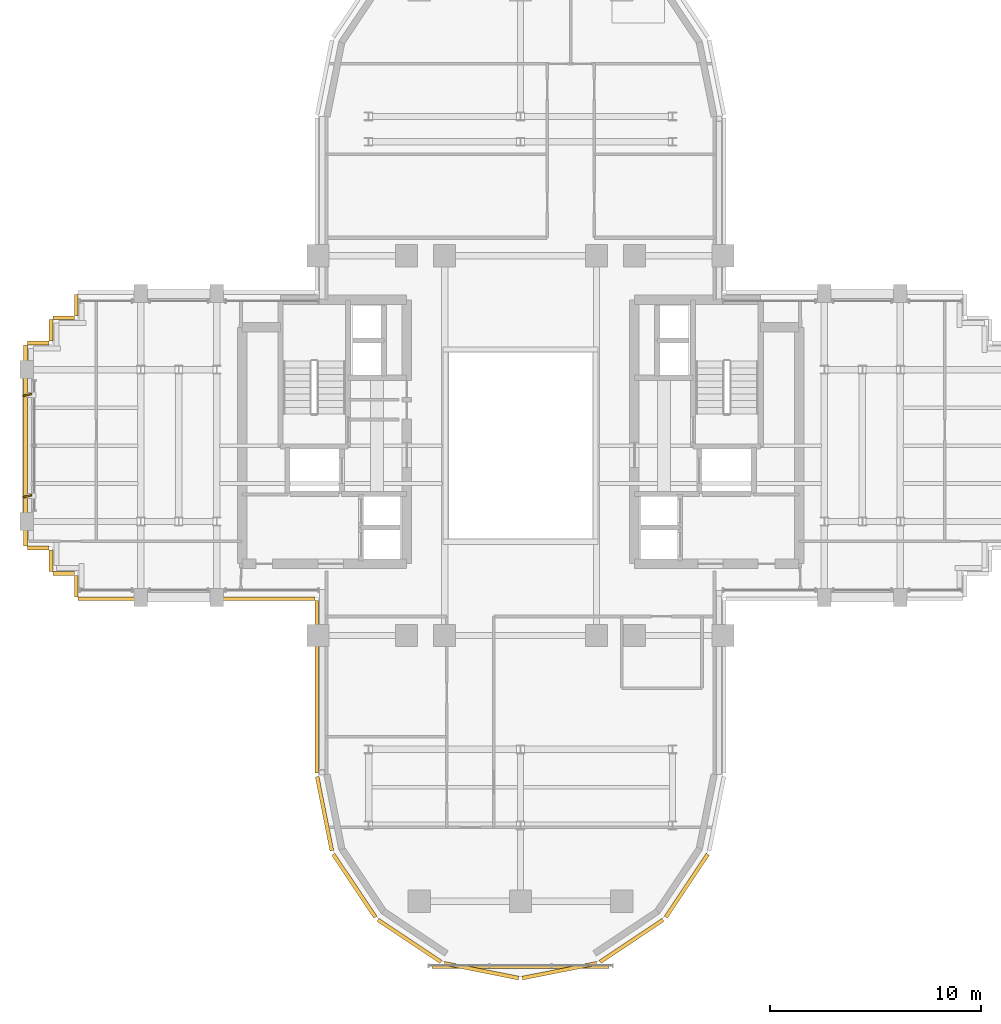
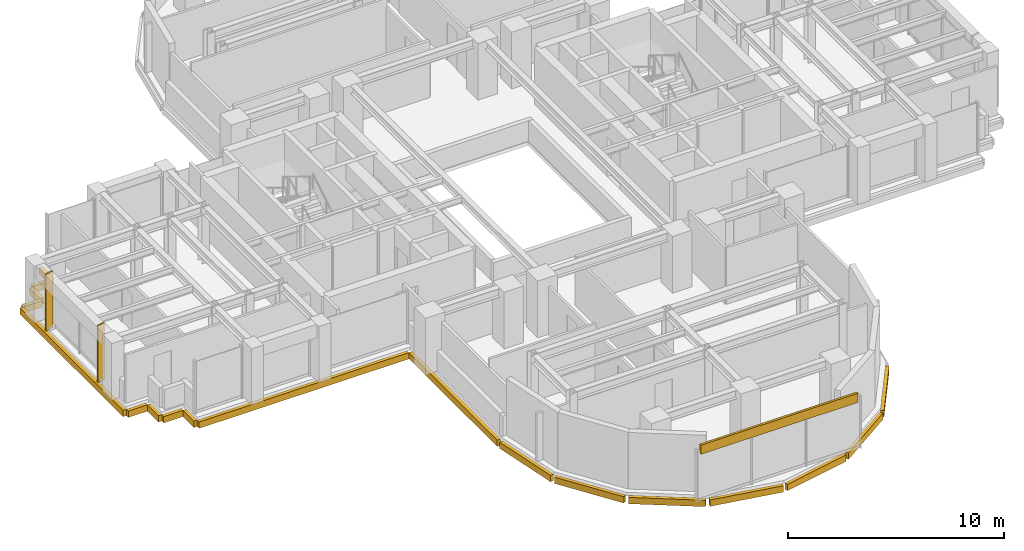
# One storey, part 12 of 14: 19 coverings, 2 shading devices.
"""IFC4 building model written with IfcOpenShell, lengths in metres."""

from ifc_helpers import new_model, si_unit, direction, frame, origin, origin_2d, place, context, subcontext, project, spatial, rectangle, extrude, source, transform, mapped, material, layer, layer_set, type_object, element, save


model = new_model("IFC4")

# Units and contexts
model_context = context("Model", 3, precision=1e-05, world=origin(), true_north=direction((0.0, 1.0)))
body_context = subcontext(model_context, "Body", "Model", "MODEL_VIEW")
ifc_project = project(units=[si_unit("LENGTHUNIT", "METRE"), si_unit("AREAUNIT", "SQUARE_METRE"), si_unit("VOLUMEUNIT", "CUBIC_METRE"), si_unit("PLANEANGLEUNIT", "RADIAN"), si_unit("MASSUNIT", "GRAM", prefix="KILO")], contexts=[model_context])

# Site, building, storey
site_placement = place(None, origin())
site = spatial("IfcSite", under=ifc_project, at=site_placement, CompositionType="ELEMENT")
building_placement = place(site_placement, origin())
building = spatial("IfcBuilding", under=site, at=building_placement, Name="Keilestroom Media Tower", CompositionType="ELEMENT")
storey_placement = place(building_placement, frame((0.0, 0.0, 114.199951171875)))
storey = spatial("IfcBuildingStorey", under=building, at=storey_placement, Name="L30", CompositionType="ELEMENT", Elevation=114.199951171875)

# Covering
ifc_material_1 = material(Name="Precast concrete C40/50", Category="concrete")
ifc_layer = layer(ifc_material_1, 0.1201171875)
ifc_layer_set = layer_set([ifc_layer], Name="Precast concrete C40/50")
covering_type = type_object("IfcCoveringType", Name="Exterior-Precast-Spandrel-Cladding-Panel-120", PredefinedType="CLADDING", material=ifc_layer_set)
shared_shape_1 = source(origin(), body_context, "Body", "SweptSolid", [
    extrude(rectangle(XDim=8.39990234375, YDim=0.1201171875, at=origin_2d()), origin(), (0.0, 0.0, 1.0), 0.52001953125),
])
covering_1_placement = place(storey_placement, frame((0.0, -24.719970703125, 2.68994140625), z_axis=(0.0, 0.0, 1.0), x_axis=(1.0, 0.0, 0.0)))
element("IfcCovering", 1, at=covering_1_placement, inside=storey, type_object=covering_type, Name="L30 Precast Spandrel Cladding S", PredefinedType="CLADDING", context=body_context, shape_type="MappedRepresentation", body=[
    mapped(shared_shape_1, transform((0.0, 0.0, 0.0), x_axis=(1.0, 0.0, 0.0), y_axis=(0.0, 1.0, 0.0), z_axis=(0.0, 0.0, 1.0), scale=1.0)),
])

# Shading devices
ifc_material_2 = material(Name="Bronze Anodised Aluminium", Category="aluminium")
shading_device_type = type_object("IfcShadingDeviceType", Name="Facade-Vertical-Sunshade-Fin-SHD-1", PredefinedType="USERDEFINED", material=ifc_material_2)
shared_shape_2 = source(origin(), body_context, "Body", "SweptSolid", [
    extrude(rectangle(XDim=0.419921875, YDim=0.080078125, at=origin_2d()), origin(), (0.0, 0.0, 1.0), 3.199951171875),
])
for number, where, z_axis, x_axis, name in (
    (2, (-23.3701171875, -2.39990234375, 0.0), (0.0, 0.0, 1.0), (0.97518800696, 0.221378298577, 0.0), "L30 Twisting Sunshade Fin SHD-1 033"),
    (3, (-23.3701171875, 2.39990234375, 0.0), (0.0, 0.0, 1.0), (0.97518800696, 0.221378298577, 0.0), "L30 Twisting Sunshade Fin SHD-1 034"),
):
    element("IfcShadingDevice", number, at=place(storey_placement, frame(where, z_axis=z_axis, x_axis=x_axis)), inside=storey, type_object=shading_device_type, Name=name, ObjectType="SUNSHADE", PredefinedType="USERDEFINED", context=body_context, shape_type="MappedRepresentation", body=[
        mapped(shared_shape_2, transform((0.0, 0.0, 0.0), x_axis=(1.0, 0.0, 0.0), y_axis=(0.0, 1.0, 0.0), z_axis=(0.0, 0.0, 1.0), scale=1.0)),
    ])

# Coverings
shared_shape_3 = source(origin(), body_context, "Body", "SweptSolid", [
    extrude(rectangle(XDim=1.02001953125, YDim=0.179931640625, at=origin_2d()), origin(), (0.0, 0.0, 1.0), 0.360107421875),
])
for number, where, z_axis, x_axis, name in (
    (4, (-21.06005859375, -6.659912109375, -0.5400390625), (0.0, 0.0, 1.0), (0.0, 1.0, 0.0), "L30 Precast Slab-Edge Fascia Cornice 17"),
    (5, (-21.659912109375, -6.06005859375, -0.5400390625), (0.0, 0.0, 1.0), (-1.0, 0.0, 0.0), "L30 Precast Slab-Edge Fascia Cornice 18"),
    (6, (-22.260009765625, -5.4599609375, -0.5400390625), (0.0, 0.0, 1.0), (0.0, 1.0, 0.0), "L30 Precast Slab-Edge Fascia Cornice 19"),
    (7, (-22.860107421875, -4.860107421875, -0.5400390625), (0.0, 0.0, 1.0), (-1.0, 0.0, 0.0), "L30 Precast Slab-Edge Fascia Cornice 20"),
    (8, (-22.860107421875, 4.860107421875, -0.5400390625), (0.0, 0.0, 1.0), (1.0, 0.0, 0.0), "L30 Precast Slab-Edge Fascia Cornice 22"),
    (9, (-22.260009765625, 5.4599609375, -0.5400390625), (0.0, 0.0, 1.0), (0.0, 1.0, 0.0), "L30 Precast Slab-Edge Fascia Cornice 23"),
    (10, (-21.659912109375, 6.06005859375, -0.5400390625), (0.0, 0.0, 1.0), (1.0, 0.0, 0.0), "L30 Precast Slab-Edge Fascia Cornice 24"),
    (11, (-21.06005859375, 6.659912109375, -0.5400390625), (0.0, 0.0, 1.0), (0.0, 1.0, 0.0), "L30 Precast Slab-Edge Fascia Cornice 25"),
):
    element("IfcCovering", number, at=place(storey_placement, frame(where, z_axis=z_axis, x_axis=x_axis)), inside=storey, type_object=covering_type, Name=name, PredefinedType="CLADDING", context=body_context, shape_type="MappedRepresentation", body=[
        mapped(shared_shape_3, transform((0.0, 0.0, 0.0), x_axis=(1.0, 0.0, 0.0), y_axis=(0.0, 1.0, 0.0), z_axis=(0.0, 0.0, 1.0), scale=1.0)),
    ])
shared_shape_4 = source(origin(), body_context, "Body", "SweptSolid", [
    extrude(rectangle(XDim=8.166015625, YDim=0.179931640625, at=origin_2d()), origin(), (0.0, 0.0, 1.0), 0.360107421875),
])
covering_2_placement = place(storey_placement, frame((-9.659912109375, -11.43310546875, -0.5400390625), z_axis=(0.0, 0.0, 1.0), x_axis=(0.0, 1.0, 0.0)))
element("IfcCovering", 12, at=covering_2_placement, inside=storey, type_object=covering_type, Name="L30 Precast Slab-Edge Fascia Cornice 15", PredefinedType="CLADDING", context=body_context, shape_type="MappedRepresentation", body=[
    mapped(shared_shape_4, transform((0.0, 0.0, 0.0), x_axis=(1.0, 0.0, 0.0), y_axis=(0.0, 1.0, 0.0), z_axis=(0.0, 0.0, 1.0), scale=1.0)),
])
shared_shape_5 = source(origin(), body_context, "Body", "SweptSolid", [
    extrude(rectangle(XDim=3.58349609375, YDim=0.179931640625, at=origin_2d()), origin(), (0.0, 0.0, 1.0), 0.360107421875),
])
covering_3_placement = place(storey_placement, frame((-9.29296875, -17.45166015625, -0.5400390625), z_axis=(0.0, 0.0, 1.0), x_axis=(-0.195098880975, 0.980783577882, 0.0)))
element("IfcCovering", 13, at=covering_3_placement, inside=storey, type_object=covering_type, Name="L30 Precast Slab-Edge Fascia Cornice 14", PredefinedType="CLADDING", context=body_context, shape_type="MappedRepresentation", body=[
    mapped(shared_shape_5, transform((0.0, 0.0, 0.0), x_axis=(1.0, 0.0, 0.0), y_axis=(0.0, 1.0, 0.0), z_axis=(0.0, 0.0, 1.0), scale=1.0)),
])
shared_shape_6 = source(origin(), body_context, "Body", "SweptSolid", [
    extrude(rectangle(XDim=3.589599609375, YDim=0.179931640625, at=origin_2d()), origin(), (0.0, 0.0, 1.0), 0.360107421875),
])
for number, where, z_axis, x_axis, name in (
    (14, (7.878662109375, -20.8642578125, -0.5400390625), (0.0, 0.0, 1.0), (-0.555574586577, -0.831466703332, 0.0), "L30 Precast Slab-Edge Fascia Cornice 08"),
    (15, (5.264404296875, -23.478515625, -0.5400390625), (0.0, 0.0, 1.0), (-0.831466703332, -0.555574586577, 0.0), "L30 Precast Slab-Edge Fascia Cornice 09"),
    (16, (1.8486328125, -24.893310546875, -0.5400390625), (0.0, 0.0, 1.0), (-0.980783577882, -0.195098880975, 0.0), "L30 Precast Slab-Edge Fascia Cornice 10"),
    (17, (-1.8486328125, -24.893310546875, -0.5400390625), (0.0, 0.0, 1.0), (-0.980783577882, 0.195098880975, 0.0), "L30 Precast Slab-Edge Fascia Cornice 11"),
    (18, (-5.264404296875, -23.478515625, -0.5400390625), (0.0, 0.0, 1.0), (-0.831466703332, 0.555574586577, 0.0), "L30 Precast Slab-Edge Fascia Cornice 12"),
    (19, (-7.878662109375, -20.8642578125, -0.5400390625), (0.0, 0.0, 1.0), (-0.555574586577, 0.831466703332, 0.0), "L30 Precast Slab-Edge Fascia Cornice 13"),
):
    element("IfcCovering", number, at=place(storey_placement, frame(where, z_axis=z_axis, x_axis=x_axis)), inside=storey, type_object=covering_type, Name=name, PredefinedType="CLADDING", context=body_context, shape_type="MappedRepresentation", body=[
        mapped(shared_shape_6, transform((0.0, 0.0, 0.0), x_axis=(1.0, 0.0, 0.0), y_axis=(0.0, 1.0, 0.0), z_axis=(0.0, 0.0, 1.0), scale=1.0)),
    ])
shared_shape_7 = source(origin(), body_context, "Body", "SweptSolid", [
    extrude(rectangle(XDim=9.5400390625, YDim=0.179931640625, at=origin_2d()), origin(), (0.0, 0.0, 1.0), 0.360107421875),
])
covering_4_placement = place(storey_placement, frame((-23.4599609375, 0.0, -0.5400390625), z_axis=(0.0, 0.0, 1.0), x_axis=(0.0, 1.0, 0.0)))
element("IfcCovering", 20, at=covering_4_placement, inside=storey, type_object=covering_type, Name="L30 Precast Slab-Edge Fascia Cornice 21", PredefinedType="CLADDING", context=body_context, shape_type="MappedRepresentation", body=[
    mapped(shared_shape_7, transform((0.0, 0.0, 0.0), x_axis=(1.0, 0.0, 0.0), y_axis=(0.0, 1.0, 0.0), z_axis=(0.0, 0.0, 1.0), scale=1.0)),
])
shared_shape_8 = source(origin(), body_context, "Body", "SweptSolid", [
    extrude(rectangle(XDim=11.219970703125, YDim=0.179931640625, at=origin_2d()), origin(), (0.0, 0.0, 1.0), 0.360107421875),
])
covering_5_placement = place(storey_placement, frame((-15.360107421875, -7.260009765625, -0.5400390625), z_axis=(0.0, 0.0, 1.0), x_axis=(-1.0, 0.0, 0.0)))
element("IfcCovering", 21, at=covering_5_placement, inside=storey, type_object=covering_type, Name="L30 Precast Slab-Edge Fascia Cornice 16", PredefinedType="CLADDING", context=body_context, shape_type="MappedRepresentation", body=[
    mapped(shared_shape_8, transform((0.0, 0.0, 0.0), x_axis=(1.0, 0.0, 0.0), y_axis=(0.0, 1.0, 0.0), z_axis=(0.0, 0.0, 1.0), scale=1.0)),
])

save(model, "model.ifc")
